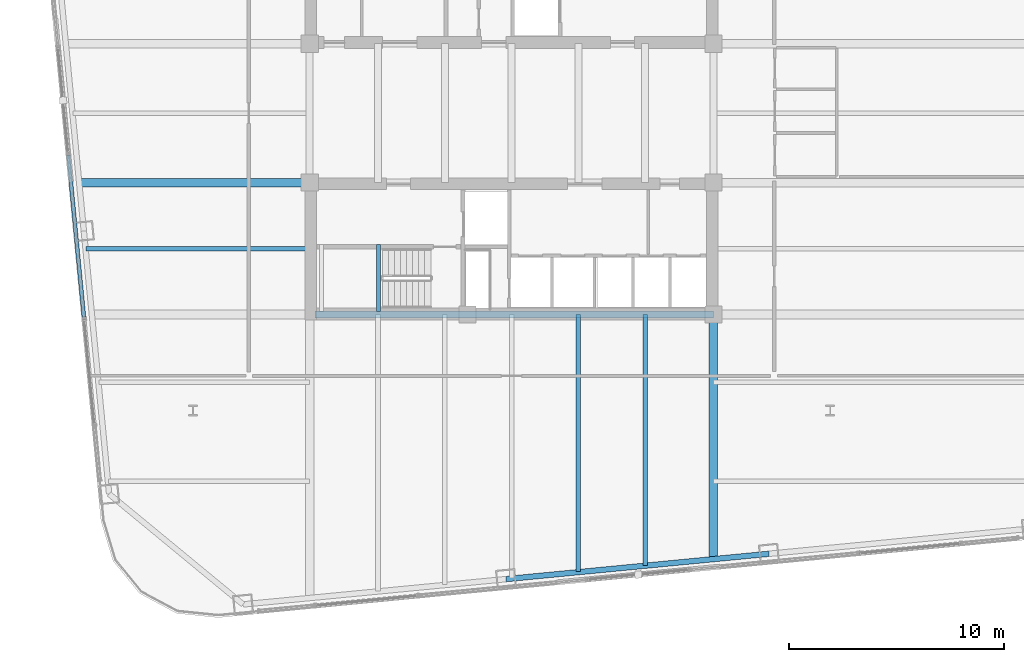
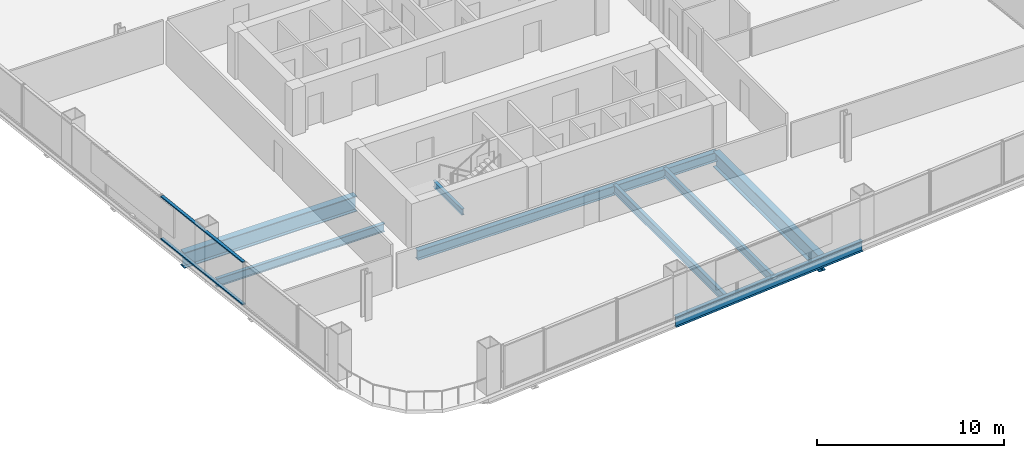
# One storey, part 6 of 27: 8 beams, 2 members, 1 element without a shape of its own.
"""IFC4 building model written with IfcOpenShell, lengths in metres."""

from ifc_helpers import new_model, si_unit, direction, frame, origin, origin_2d, place, context, subcontext, project, spatial, hollow_rectangle, i_section, extrude, material, layer, layer_set, material_profile, profile_set, type_object, element, aggregate, save


model = new_model("IFC4")

# Units and contexts
model_context = context("Model", 3, precision=1e-05, world=origin(), true_north=direction((0.0, 1.0)))
body_context = subcontext(model_context, "Body", "Model", "MODEL_VIEW")
ifc_project = project(units=[si_unit("LENGTHUNIT", "METRE"), si_unit("AREAUNIT", "SQUARE_METRE"), si_unit("VOLUMEUNIT", "CUBIC_METRE"), si_unit("PLANEANGLEUNIT", "RADIAN"), si_unit("MASSUNIT", "GRAM", prefix="KILO")], contexts=[model_context])

# Site, building, storey
site_placement = place(None, origin())
site = spatial("IfcSite", under=ifc_project, at=site_placement, CompositionType="ELEMENT")
building_placement = place(site_placement, origin())
building = spatial("IfcBuilding", under=site, at=building_placement, Name="Qhalaya Broadcast Tower", CompositionType="ELEMENT")
storey_placement = place(building_placement, frame((0.0, 0.0, 75.550048828125)))
storey = spatial("IfcBuildingStorey", under=building, at=storey_placement, Name="L21", CompositionType="ELEMENT", Elevation=75.550048828125)

# Beams
ifc_material_1 = material(Name="Structural Steel ASTM A992 Grade 50", Category="steel")
ifc_material_profile_1 = material_profile(ifc_material_1, i_section(OverallWidth=0.2099609375, OverallDepth=0.535888671875, WebThickness=0.010986328125, FlangeThickness=0.017333984375, at=origin_2d()), Name="W21X68")
ifc_profile_set_1 = profile_set([ifc_material_profile_1], Name="Structural Steel ASTM A992 Grade 50")
beam_type_1 = type_object("IfcBeamType", Name="Composite Floor Joist J02", PredefinedType="JOIST", material=ifc_profile_set_1)
beam_1_placement = place(storey_placement, frame((3.10009765625, -20.693603515625, -0.488037109375), z_axis=(0.0, 1.0, 0.0), x_axis=(-1.0, 0.0, 0.0)))
element("IfcBeam", 1, at=beam_1_placement, inside=storey, type_object=beam_type_1, Name="L21 J02 L21-JNS4-1", PredefinedType="JOIST", context=body_context, shape_type="SweptSolid", body=[
    extrude(i_section(OverallWidth=0.2099609375, OverallDepth=0.535888671875, WebThickness=0.010986328125, FlangeThickness=0.017333984375, at=origin_2d()), origin(), (0.0, 0.0, 1.0), 11.943603515625),
])
beam_2_placement = place(storey_placement, frame((6.199951171875, -20.395263671875, -0.488037109375), z_axis=(0.0, 1.0, 0.0), x_axis=(-1.0, 0.0, 0.0)))
element("IfcBeam", 2, at=beam_2_placement, inside=storey, type_object=beam_type_1, Name="L21 J02 L21-JNS5-1", PredefinedType="JOIST", context=body_context, shape_type="SweptSolid", body=[
    extrude(i_section(OverallWidth=0.2099609375, OverallDepth=0.535888671875, WebThickness=0.010986328125, FlangeThickness=0.017333984375, at=origin_2d()), origin(), (0.0, 0.0, 1.0), 11.645263671875),
])
beam_3_placement = place(storey_placement, frame((-19.76171875, -5.699951171875, -0.488037109375), z_axis=(1.0, 0.0, 0.0), x_axis=(0.0, 1.0, 0.0)))
element("IfcBeam", 3, at=beam_3_placement, inside=storey, type_object=beam_type_1, Name="L21 J02 L21-JWE3W-1", PredefinedType="JOIST", context=body_context, shape_type="SweptSolid", body=[
    extrude(i_section(OverallWidth=0.2099609375, OverallDepth=0.535888671875, WebThickness=0.010986328125, FlangeThickness=0.017333984375, at=origin_2d()), origin(), (0.0, 0.0, 1.0), 10.38671875),
])
ifc_material_profile_2 = material_profile(ifc_material_1, i_section(OverallWidth=0.323974609375, OverallDepth=0.612060546875, WebThickness=0.0126953125, FlangeThickness=0.01904296875, at=origin_2d()), Name="W24X104")
ifc_profile_set_2 = profile_set([ifc_material_profile_2], Name="Structural Steel ASTM A992 Grade 50")
beam_type_2 = type_object("IfcBeamType", Name="Core Frame Tie Beam B04", PredefinedType="BEAM", material=ifc_profile_set_2)
beam_4_placement = place(storey_placement, frame((-9.1201171875, -8.75, -0.526123046875), z_axis=(1.0, 0.0, 0.0), x_axis=(0.0, 1.0, 0.0)))
element("IfcBeam", 4, at=beam_4_placement, inside=storey, type_object=beam_type_2, Name="L21 B04 L21-CCS3", PredefinedType="BEAM", context=body_context, shape_type="SweptSolid", body=[
    extrude(i_section(OverallWidth=0.323974609375, OverallDepth=0.612060546875, WebThickness=0.0126953125, FlangeThickness=0.01904296875, at=origin_2d()), origin(), (0.0, 0.0, 1.0), 18.4951171875),
])
ifc_material_profile_3 = material_profile(ifc_material_1, i_section(OverallWidth=0.40087890625, OverallDepth=1.010986328125, WebThickness=0.023681640625, FlangeThickness=0.0419921875, at=origin_2d()), Name="W40X297")
ifc_profile_set_3 = profile_set([ifc_material_profile_3], Name="Structural Steel ASTM A992 Grade 50")
beam_type_3 = type_object("IfcBeamType", Name="Lower Block Primary Girder PG2", PredefinedType="USERDEFINED", material=ifc_profile_set_3)
beam_5_placement = place(storey_placement, frame((9.375, -20.089599609375, -0.7255859375), z_axis=(0.0, 1.0, 0.0), x_axis=(-1.0, 0.0, 0.0)))
element("IfcBeam", 5, at=beam_5_placement, inside=storey, type_object=beam_type_3, Name="L21 PG2 L21-PGXS2-1", ObjectType="GIRDER", PredefinedType="USERDEFINED", context=body_context, shape_type="SweptSolid", body=[
    extrude(i_section(OverallWidth=0.40087890625, OverallDepth=1.010986328125, WebThickness=0.023681640625, FlangeThickness=0.0419921875, at=origin_2d()), origin(), (0.0, 0.0, 1.0), 11.339599609375),
])
beam_6_placement = place(storey_placement, frame((-20.057861328125, -2.625, -0.7255859375), z_axis=(1.0, 0.0, 0.0), x_axis=(0.0, 1.0, 0.0)))
element("IfcBeam", 6, at=beam_6_placement, inside=storey, type_object=beam_type_3, Name="L21 PG2 L21-PGYW2-1", ObjectType="GIRDER", PredefinedType="USERDEFINED", context=body_context, shape_type="SweptSolid", body=[
    extrude(i_section(OverallWidth=0.40087890625, OverallDepth=1.010986328125, WebThickness=0.023681640625, FlangeThickness=0.0419921875, at=origin_2d()), origin(), (0.0, 0.0, 1.0), 10.682861328125),
])
ifc_material_profile_4 = material_profile(ifc_material_1, i_section(OverallWidth=0.25390625, OverallDepth=0.68310546875, WebThickness=0.012451171875, FlangeThickness=0.01904296875, at=origin_2d()), Name="W27X94")
ifc_profile_set_4 = profile_set([ifc_material_profile_4], Name="Structural Steel ASTM A992 Grade 50")
beam_type_4 = type_object("IfcBeamType", Name="Perimeter Ring Spandrel Beam SP1", PredefinedType="SPANDREL", material=ifc_profile_set_4)
beam_7_placement = place(storey_placement, frame((-0.255126953125, -21.036865234375, -0.5615234375), z_axis=(0.99539563662, 0.095851586307, 0.0), x_axis=(-0.095851586307, 0.99539563662, 0.0)))
element("IfcBeam", 7, at=beam_7_placement, inside=storey, type_object=beam_type_4, Name="L21 SP1 L21-SPR-02", PredefinedType="SPANDREL", context=body_context, shape_type="SweptSolid", body=[
    extrude(i_section(OverallWidth=0.25390625, OverallDepth=0.68310546875, WebThickness=0.012451171875, FlangeThickness=0.01904296875, at=origin_2d()), origin(), (0.0, 0.0, 1.0), 12.2666015625),
])

# Curtain wall, members
ifc_material_2 = material(Name="Fired Architectural Terracotta", Category="masonry")
ifc_layer = layer(ifc_material_2, 0.219970703125, Name="Fired Architectural Terracotta")
ifc_layer_set = layer_set([ifc_layer], Name="Fired Architectural Terracotta")
curtain_wall_type = type_object("IfcCurtainWallType", Name="Block-Cap Unitised Terracotta Spandrel Wall CW-07", PredefinedType="NOTDEFINED", material=ifc_layer_set)
curtain_wall_placement = place(storey_placement, origin())
curtain_wall = element("IfcCurtainWall", 8, at=curtain_wall_placement, inside=storey, type_object=curtain_wall_type, Name="L21 Unitised Curtain Wall L21-CW-W5", PredefinedType="NOTDEFINED")
ifc_material_3 = material(Name="Anodised Aluminium 6063-T6", Category="aluminium")
ifc_material_profile_5 = material_profile(ifc_material_3, hollow_rectangle(XDim=0.074951171875, YDim=0.179931640625, WallThickness=0.00390625, at=origin_2d()), Name="ALU-TRN 75x180x4")
ifc_profile_set_5 = profile_set([ifc_material_profile_5], Name="Anodised Aluminium 6063-T6")
member_type = type_object("IfcMemberType", Name="Unitised Curtain-Wall Transom T01", PredefinedType="USERDEFINED", material=ifc_profile_set_5)
member_1_placement = place(storey_placement, frame((-20.58251953125, -1.3486328125, 0.037353515625), z_axis=(0.095860723512, -0.995394756711, 0.0), x_axis=(0.0, 0.0, 1.0)))
member_1 = element("IfcMember", 9, at=member_1_placement, type_object=member_type, Name="CW-07 transom 1.1", ObjectType="TRANSOM", PredefinedType="USERDEFINED", context=body_context, shape_type="SweptSolid", body=[
    extrude(hollow_rectangle(XDim=0.074951171875, YDim=0.179931640625, WallThickness=0.00390625, at=origin_2d()), origin(), (0.0, 0.0, 1.0), 7.55908203125),
])
member_2_placement = place(storey_placement, frame((-20.58251953125, -1.3486328125, 2.79248046875), z_axis=(0.095860723512, -0.995394756711, 0.0), x_axis=(0.0, 0.0, 1.0)))
member_2 = element("IfcMember", 10, at=member_2_placement, type_object=member_type, Name="CW-07 transom 1.2", ObjectType="TRANSOM", PredefinedType="USERDEFINED", context=body_context, shape_type="SweptSolid", body=[
    extrude(hollow_rectangle(XDim=0.074951171875, YDim=0.179931640625, WallThickness=0.00390625, at=origin_2d()), origin(), (0.0, 0.0, 1.0), 7.55908203125),
])
aggregate(curtain_wall, [member_1, member_2])

# Beam
ifc_material_profile_6 = material_profile(ifc_material_1, i_section(OverallWidth=0.177978515625, OverallDepth=0.406005859375, WebThickness=0.0078125, FlangeThickness=0.0126953125, at=origin_2d()), Name="W16X40")
ifc_profile_set_6 = profile_set([ifc_material_profile_6], Name="Structural Steel ASTM A992 Grade 50")
beam_type_5 = type_object("IfcBeamType", Name="Upper Perimeter Spandrel Beam SP2", PredefinedType="SPANDREL", material=ifc_profile_set_6)
beam_8_placement = place(storey_placement, frame((-6.175048828125, -8.6201171875, 1.1220703125), z_axis=(0.0, 1.0, 0.0), x_axis=(-1.0, 0.0, 0.0)))
element("IfcBeam", 11, at=beam_8_placement, inside=storey, type_object=beam_type_5, Name="L21 ST-2 Half-Landing Bearer Beam 2", PredefinedType="SPANDREL", context=body_context, shape_type="SweptSolid", body=[
    extrude(i_section(OverallWidth=0.177978515625, OverallDepth=0.406005859375, WebThickness=0.0078125, FlangeThickness=0.0126953125, at=origin_2d()), origin(), (0.0, 0.0, 1.0), 3.1201171875),
])

save(model, "model.ifc")
